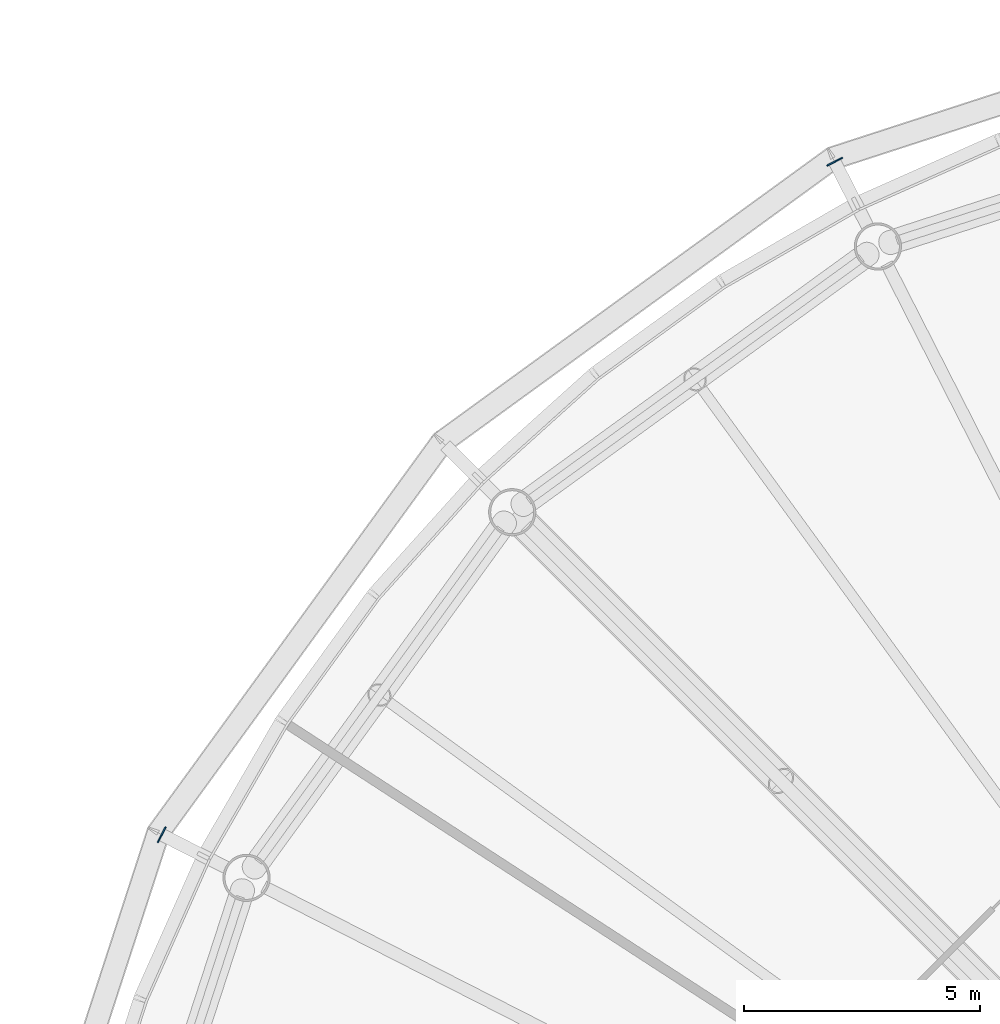
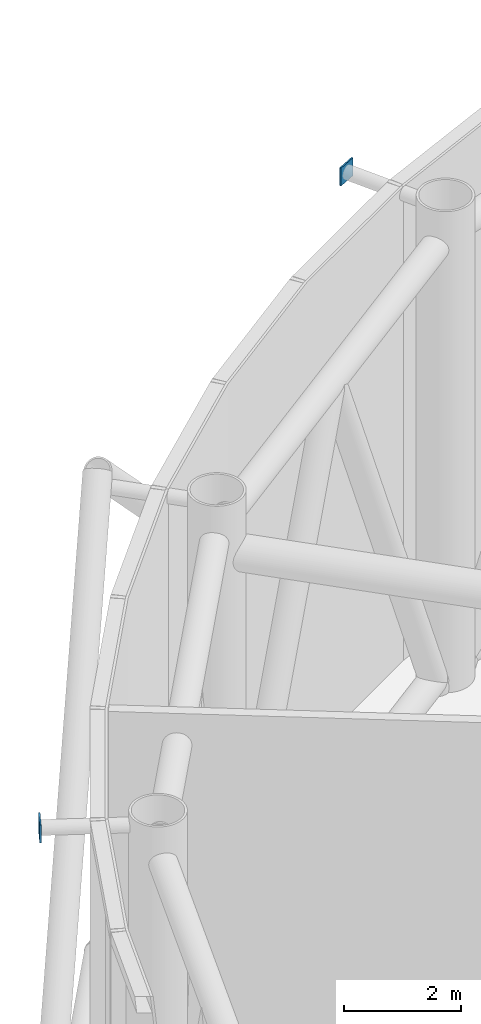
# One storey, part 15 of 23: 2 discrete accessories.
"""IFC4 building model written with IfcOpenShell, lengths in metres."""

from ifc_helpers import new_model, si_unit, direction, frame, origin, origin_2d, place, context, subcontext, project, spatial, rectangle, extrude, material, element, save


model = new_model("IFC4")

# Units and contexts
model_context = context("Model", 3, precision=1e-05, world=origin(), true_north=direction((0.0, 1.0)))
body_context = subcontext(model_context, "Body", "Model", "MODEL_VIEW")
ifc_project = project(units=[si_unit("LENGTHUNIT", "METRE"), si_unit("AREAUNIT", "SQUARE_METRE"), si_unit("VOLUMEUNIT", "CUBIC_METRE"), si_unit("PLANEANGLEUNIT", "RADIAN"), si_unit("MASSUNIT", "GRAM", prefix="KILO")], contexts=[model_context])

# Site, building, storey
site_placement = place(None, origin())
site = spatial("IfcSite", under=ifc_project, at=site_placement, CompositionType="ELEMENT")
building_placement = place(site_placement, origin())
building = spatial("IfcBuilding", under=site, at=building_placement, Name="Entoto Ring Tower", CompositionType="ELEMENT")
storey_placement = place(building_placement, frame((0.0, 0.0, 392.0)))
storey = spatial("IfcBuildingStorey", under=building, at=storey_placement, Name="L91", CompositionType="ELEMENT", Elevation=392.0)

# Discrete accessories
ifc_material = material(Name="Steel S355", Category="steel")
for number, where, z_axis, x_axis, name in (
    (1, (75.193115234375, 109.06005859375, 9.52685546875), (0.0, 0.0, 1.0), (-0.45399049974, 0.891006524188, 0.0), "Node strut end plate DS2 ring 29 06"),
    (2, (60.93994140625, 94.806884765625, 9.52685546875), (0.0, 0.0, 1.0), (-0.891006524188, 0.45399049974, 0.0), "Node strut end plate DS2 ring 29 08"),
):
    element("IfcDiscreteAccessory", number, at=place(storey_placement, frame(where, z_axis=z_axis, x_axis=x_axis)), inside=storey, material=ifc_material, Name=name, PredefinedType="BRACKET", context=body_context, shape_type="SweptSolid", body=[
        extrude(rectangle(XDim=0.030029296875, YDim=0.373046875, at=origin_2d()), origin(), (0.0, 0.0, 1.0), 0.373046875),
    ])

save(model, "model.ifc")
